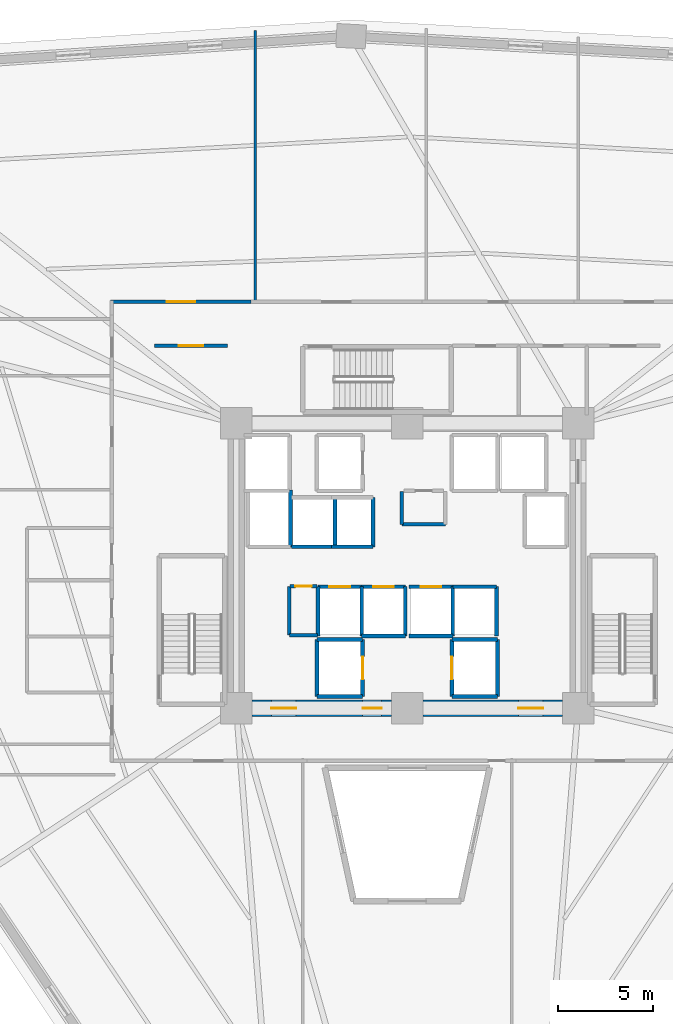
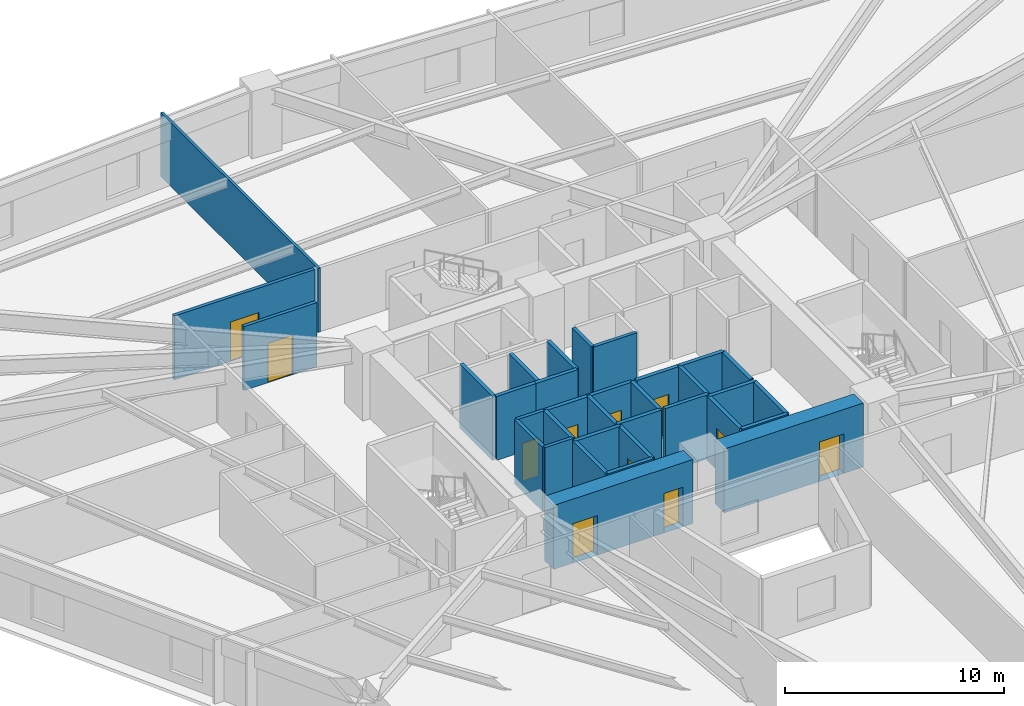
# One storey, part 5 of 9: 34 walls, 11 doors, 11 openings.
"""IFC4 building model written with IfcOpenShell, lengths in metres."""

import ifcopenshell
import ifcopenshell.guid

model = None  # the IFC model being written
_history = None  # IfcOwnerHistory: only IFC2X3 demands one
_inside = {}  # id of a spatial element -> (the spatial element, [elements in it])
_under = {}  # id of a project, library or spatial element -> (it, [spatial elements below it])
_declared = {}  # id of a project -> (the project, [libraries it declares])
_typed = {}  # id of a type object -> (the type object, [elements of that type])
_made_of = {}  # id of a material, layer set ... -> (it, [elements and type objects made of it])


def new_model(schema):
    """Start an empty IFC model of exactly this schema.

    Asked for "IFC4X3", IfcOpenShell would pick the latest addendum, in which some entities
    have other attributes; the version numbers below select the first issue.
    IFC2X3 requires an IfcOwnerHistory on every rooted entity: one is made here for all.
    """
    global model, _history
    if schema == "IFC4X3":
        model = ifcopenshell.file(schema_version=(4, 3, 0, 0))
    else:
        model = ifcopenshell.file(schema=schema)
    _inside.clear()
    _under.clear()
    _declared.clear()
    _typed.clear()
    _made_of.clear()
    _history = None
    if model.schema == "IFC2X3":
        org = make("IfcOrganization", Name="unknown")
        user = make(
            "IfcPersonAndOrganization",
            ThePerson=make("IfcPerson", FamilyName="unknown"),
            TheOrganization=org,
        )
        app = make(
            "IfcApplication",
            ApplicationDeveloper=org,
            Version="unknown",
            ApplicationFullName="unknown",
            ApplicationIdentifier="unknown",
        )
        _history = make(
            "IfcOwnerHistory",
            OwningUser=user,
            OwningApplication=app,
            ChangeAction="ADDED",
            CreationDate=0,
        )
    return model


def make(cls, **values):
    """One entity of the class cls with the attributes given. An attribute that is None is left unset."""
    return model.create_entity(
        cls, **{name: value for name, value in values.items() if value is not None}
    )


def rooted(cls, **values):
    """An entity with a GlobalId (a new one), such as an element, a storey or a relation."""
    return make(cls, GlobalId=ifcopenshell.guid.new(), OwnerHistory=_history, **values)


def si_unit(unit_type, name, prefix=None):
    """IfcSIUnit, for example si_unit("LENGTHUNIT", "METRE", prefix="MILLI")."""
    return make("IfcSIUnit", UnitType=unit_type, Prefix=prefix, Name=name)


def assignment(units):
    """IfcUnitAssignment: the units of a project."""
    return None if units is None else make("IfcUnitAssignment", Units=units)


def point(xyz):
    """IfcCartesianPoint."""
    return None if xyz is None else make("IfcCartesianPoint", Coordinates=xyz)


def direction(xyz):
    """IfcDirection."""
    return None if xyz is None else make("IfcDirection", DirectionRatios=xyz)


def frame(location, z_axis=None, x_axis=None):
    """IfcAxis2Placement3D, a coordinate frame: its origin and axes. An axis left out is left unset."""
    return make(
        "IfcAxis2Placement3D",
        Location=point(location),
        Axis=direction(z_axis),
        RefDirection=direction(x_axis),
    )


def frame_2d(location, x_axis=None):
    """IfcAxis2Placement2D, a coordinate frame in the plane: its origin and x axis."""
    return make(
        "IfcAxis2Placement2D", Location=point(location), RefDirection=direction(x_axis)
    )


def origin():
    """The frame at (0, 0, 0) with its axes left unset."""
    return frame((0.0, 0.0, 0.0))


def place(relative_to, where):
    """IfcLocalPlacement: puts the frame where relative to a parent placement (None: the world)."""
    return make(
        "IfcLocalPlacement", PlacementRelTo=relative_to, RelativePlacement=where
    )


def context(
    kind, dimensions, precision=None, world=None, true_north=None, identifier=None
):
    """IfcGeometricRepresentationContext, for example the 3D "Model" context."""
    return make(
        "IfcGeometricRepresentationContext",
        ContextIdentifier=identifier,
        ContextType=kind,
        CoordinateSpaceDimension=dimensions,
        Precision=precision,
        WorldCoordinateSystem=world,
        TrueNorth=true_north,
    )


def subcontext(parent, identifier, kind, view, scale=None):
    """IfcGeometricRepresentationSubContext, for example "Body" below "Model"."""
    return make(
        "IfcGeometricRepresentationSubContext",
        ContextIdentifier=identifier,
        ContextType=kind,
        ParentContext=parent,
        TargetScale=scale,
        TargetView=view,
    )


def project(units=None, contexts=None):
    """IfcProject with its units and contexts."""
    return rooted(
        "IfcProject",
        Name="project",
        RepresentationContexts=contexts,
        UnitsInContext=assignment(units),
    )


def spatial(cls, under=None, at=None, **own):
    """A site, building, storey or space (cls), placed at a placement, below another one or the project."""
    s = rooted(cls, ObjectPlacement=at, **own)
    if under is not None:
        _under.setdefault(under.id(), (under, []))[1].append(s)
    return s


def profile(cls, at=None, kind="AREA", **sizes):
    """A parametric profile (cls). Its sizes go by their IFC names, for example OverallWidth=200.0."""
    return make(cls, ProfileType=kind, Position=at, **sizes)


def rectangle(**sizes):
    """IfcRectangleProfileDef."""
    return profile("IfcRectangleProfileDef", **sizes)


def extrude(swept, where, along, depth):
    """IfcExtrudedAreaSolid: the profile swept, set in the frame where, extruded along a direction by depth."""
    return make(
        "IfcExtrudedAreaSolid",
        SweptArea=swept,
        Position=where,
        ExtrudedDirection=direction(along),
        Depth=depth,
    )


def shape(context_of_items, identifier, shape_type, items):
    """IfcShapeRepresentation: the items that make up one representation, for example the "Body"."""
    return make(
        "IfcShapeRepresentation",
        ContextOfItems=context_of_items,
        RepresentationIdentifier=identifier,
        RepresentationType=shape_type,
        Items=items,
    )


def source(mapping_origin, context_of_items, identifier, shape_type, items):
    """IfcRepresentationMap: a shape defined once, which mapped items show again and again."""
    return make(
        "IfcRepresentationMap",
        MappingOrigin=mapping_origin,
        MappedRepresentation=shape(context_of_items, identifier, shape_type, items),
    )


def transform(
    local_origin,
    x_axis=None,
    y_axis=None,
    z_axis=None,
    scale=None,
    scale2=None,
    scale3=None,
    uniform=True,
):
    """IfcCartesianTransformationOperator3D, or its non-uniform kind. x_axis, y_axis, z_axis: its Axis1, 2, 3."""
    if uniform:
        return make(
            "IfcCartesianTransformationOperator3D",
            Axis1=direction(x_axis),
            Axis2=direction(y_axis),
            LocalOrigin=point(local_origin),
            Scale=scale,
            Axis3=direction(z_axis),
        )
    return make(
        "IfcCartesianTransformationOperator3DnonUniform",
        Axis1=direction(x_axis),
        Axis2=direction(y_axis),
        LocalOrigin=point(local_origin),
        Scale=scale,
        Axis3=direction(z_axis),
        Scale2=scale2,
        Scale3=scale3,
    )


def mapped(mapping_source, mapping_target):
    """IfcMappedItem: shows the shape of a source again, moved by a transform."""
    return make(
        "IfcMappedItem", MappingSource=mapping_source, MappingTarget=mapping_target
    )


def material(Name=None, Category=None):
    """IfcMaterial."""
    return make("IfcMaterial", Name=Name, Category=Category)


def layer(
    of_material, thickness, ventilated=None, Name=None, Category=None, Priority=None
):
    """IfcMaterialLayer: one layer of a wall or slab, of a material (None: an air gap)."""
    return make(
        "IfcMaterialLayer",
        Material=of_material,
        LayerThickness=thickness,
        IsVentilated=ventilated,
        Name=Name,
        Category=Category,
        Priority=Priority,
    )


def layer_set(layers, Name=None):
    """IfcMaterialLayerSet."""
    return make("IfcMaterialLayerSet", MaterialLayers=layers, LayerSetName=Name)


def made_of(thing, what):
    """Note that an element or type object is made of a material, layer set ...; save() writes the relation."""
    if what is not None:
        _made_of.setdefault(what.id(), (what, []))[1].append(thing)
    return thing


def type_object(cls, material=None, **own):
    """A type object (cls), such as IfcWallType, which elements share."""
    return made_of(rooted(cls, **own), material)


def element(
    cls,
    number,
    at=None,
    inside=None,
    cuts=None,
    type_object=None,
    material=None,
    context=None,
    identifier="Body",
    shape_type=None,
    held_by="IfcProductDefinitionShape",
    body=None,
    shapes=None,
    **own,
):
    """One element of the class cls, such as IfcWall. Its Tag is "e" and its number.

    at: its placement. inside: the storey or other place that contains it. cuts: it is an
    opening in that element (IfcRelVoidsElement). A single representation is given by context,
    identifier, shape_type and body (its items); several are given by shapes. held_by: the class
    of the entity that holds the representations. save() writes the other relations.
    """
    e = rooted(cls, Tag="e%d" % number, ObjectPlacement=at, **own)
    if body is not None:
        shapes = [shape(context, identifier, shape_type, body)]
    if shapes is not None:
        e.Representation = make(held_by, Representations=shapes)
    if inside is not None:
        _inside.setdefault(inside.id(), (inside, []))[1].append(e)
    if cuts is not None:
        rooted(
            "IfcRelVoidsElement", RelatingBuildingElement=cuts, RelatedOpeningElement=e
        )
    if type_object is not None:
        _typed.setdefault(type_object.id(), (type_object, []))[1].append(e)
    return made_of(e, material)


def fill(opening, filler):
    """IfcRelFillsElement: the door or window that sits in an opening."""
    return rooted(
        "IfcRelFillsElement",
        RelatingOpeningElement=opening,
        RelatedBuildingElement=filler,
    )


def aggregate(whole, parts):
    """IfcRelAggregates: a whole, such as a stair, and the parts it consists of."""
    return rooted("IfcRelAggregates", RelatingObject=whole, RelatedObjects=parts)


def save(model, path):
    """Write the relations noted so far, then the file.

    IfcRelAggregates (storeys below a building ...), IfcRelContainedInSpatialStructure (elements
    in a storey), IfcRelDefinesByType, IfcRelAssociatesMaterial and IfcRelDeclares: one each for
    every whole, place, type object, material and project.
    """
    for whole, parts in _under.values():
        aggregate(whole, parts)
    for where, things in _inside.values():
        rooted(
            "IfcRelContainedInSpatialStructure",
            RelatedElements=things,
            RelatingStructure=where,
        )
    for kind, things in _typed.values():
        rooted("IfcRelDefinesByType", RelatedObjects=things, RelatingType=kind)
    for what, things in _made_of.values():
        rooted("IfcRelAssociatesMaterial", RelatedObjects=things, RelatingMaterial=what)
    for by, libraries in _declared.values():
        rooted("IfcRelDeclares", RelatingContext=by, RelatedDefinitions=libraries)
    model.write(path)


model = new_model("IFC4")

# Units and contexts
model_context = context("Model", 3, precision=1e-05, world=origin(), true_north=direction((0.0, 1.0)))
body_context = subcontext(model_context, "Body", "Model", "MODEL_VIEW")
ifc_project = project(units=[si_unit("LENGTHUNIT", "METRE"), si_unit("AREAUNIT", "SQUARE_METRE"), si_unit("VOLUMEUNIT", "CUBIC_METRE"), si_unit("PLANEANGLEUNIT", "RADIAN"), si_unit("MASSUNIT", "GRAM", prefix="KILO")], contexts=[model_context])

# Site, building, storey
site_placement = place(None, origin())
site = spatial("IfcSite", under=ifc_project, at=site_placement, CompositionType="ELEMENT")
building_placement = place(site_placement, origin())
building = spatial("IfcBuilding", under=site, at=building_placement, Name="Liaohun Quay Tower", CompositionType="ELEMENT")
storey_placement = place(building_placement, frame((0.0, 0.0, 55.5)))
storey = spatial("IfcBuildingStorey", under=building, at=storey_placement, Name="L14", CompositionType="ELEMENT", Elevation=55.5)

# Wall, opening, door
ifc_material_1 = material(Name="Concrete C60", Category="concrete")
ifc_layer_1 = layer(ifc_material_1, 0.85009765625, Name="Concrete C60", Category="concrete")
ifc_layer_set_1 = layer_set([ifc_layer_1], Name="Concrete C60")
wall_type_1 = type_object("IfcWallType", Name="WAL-COR-Z1", PredefinedType="SHEAR", material=ifc_layer_set_1)
wall_1_placement = place(storey_placement, frame((68.175048828125, 46.5, 0.0), z_axis=(0.0, 0.0, 1.0), x_axis=(-1.0, 0.0, 0.0)))
wall_1 = element("IfcWall", 1, at=wall_1_placement, inside=storey, type_object=wall_type_1, Name="L14 Central Core Shear Wall S-E", PredefinedType="SHEAR", context=body_context, shape_type="SweptSolid", body=[
    extrude(rectangle(XDim=7.35009765625, YDim=0.85009765625, at=frame_2d((3.675048828125, 0.0))), origin(), (0.0, 0.0, 1.0), 3.570068359375),
])
shared_shape_1 = source(origin(), body_context, "Body", "SweptSolid", [
    extrude(rectangle(XDim=1.300048828125, YDim=2.199951171875, at=frame_2d((0.64990234375, 1.10009765625))), frame((0.0, 0.43505859375, 0.0), z_axis=(0.0, -1.0, 0.0), x_axis=(1.0, 0.0, 0.0)), (0.0, 0.0, 1.0), 0.8701171875),
])
opening_1_placement = place(wall_1_placement, frame((1.02490234375, 0.0, 0.0)))
opening_1 = element("IfcOpeningElement", 2, at=opening_1_placement, cuts=wall_1, Name="Opening FD1", PredefinedType="OPENING", context=body_context, shape_type="MappedRepresentation", body=[
    mapped(shared_shape_1, transform((0.0, 0.0, 0.0), x_axis=(1.0, 0.0, 0.0), y_axis=(0.0, 1.0, 0.0), z_axis=(0.0, 0.0, 1.0), scale=1.0)),
])
ifc_material_2 = material(Name="Galvanised steel smokeproof fire door", Category="steel")
door_type_1 = type_object("IfcDoorType", Name="DOR-FFL-1300", OperationType="NOTDEFINED", PredefinedType="DOOR", material=ifc_material_2)
shared_shape_2 = source(origin(), body_context, "Body", "SweptSolid", [
    extrude(rectangle(XDim=1.300048828125, YDim=2.199951171875, at=frame_2d((0.64990234375, 1.10009765625))), frame((0.0, 0.02490234375, 0.0), z_axis=(0.0, -1.0, 0.0), x_axis=(1.0, 0.0, 0.0)), (0.0, 0.0, 1.0), 0.050048828125),
])
door_1_placement = place(opening_1_placement, origin())
door_1 = element("IfcDoor", 3, at=door_1_placement, inside=storey, type_object=door_type_1, Name="L14 East Core Lift Lobby Smokeproof Door", OperationType="SINGLE_SWING_LEFT", OverallHeight=2.199951171875, OverallWidth=1.300048828125, PredefinedType="DOOR", context=body_context, shape_type="MappedRepresentation", body=[
    mapped(shared_shape_2, transform((0.0, 0.0, 0.0), x_axis=(1.0, 0.0, 0.0), y_axis=(0.0, 1.0, 0.0), z_axis=(0.0, 0.0, 1.0), scale=1.0)),
])
fill(opening_1, door_1)

# Wall, openings, doors
wall_2_placement = place(storey_placement, frame((59.175048828125, 46.5, 0.0), z_axis=(0.0, 0.0, 1.0), x_axis=(-1.0, 0.0, 0.0)))
wall_2 = element("IfcWall", 4, at=wall_2_placement, inside=storey, type_object=wall_type_1, Name="L14 Central Core Shear Wall S-W", PredefinedType="SHEAR", context=body_context, shape_type="SweptSolid", body=[
    extrude(rectangle(XDim=7.35009765625, YDim=0.85009765625, at=frame_2d((3.675048828125, 0.0))), origin(), (0.0, 0.0, 1.0), 3.570068359375),
])
opening_2_placement = place(wall_2_placement, frame((5.02490234375, 0.0, 0.0)))
opening_2 = element("IfcOpeningElement", 5, at=opening_2_placement, cuts=wall_2, Name="Opening FD1", PredefinedType="OPENING", context=body_context, shape_type="MappedRepresentation", body=[
    mapped(shared_shape_1, transform((0.0, 0.0, 0.0), x_axis=(1.0, 0.0, 0.0), y_axis=(0.0, 1.0, 0.0), z_axis=(0.0, 0.0, 1.0), scale=1.0)),
])
shared_shape_3 = source(origin(), body_context, "Body", "SweptSolid", [
    extrude(rectangle(XDim=1.0, YDim=2.199951171875, at=frame_2d((0.5, 1.10009765625))), frame((0.0, 0.43505859375, 0.0), z_axis=(0.0, -1.0, 0.0), x_axis=(1.0, 0.0, 0.0)), (0.0, 0.0, 1.0), 0.8701171875),
])
opening_3_placement = place(wall_2_placement, frame((0.52490234375, 0.0, 0.0)))
opening_3 = element("IfcOpeningElement", 6, at=opening_3_placement, cuts=wall_2, Name="Opening FD2", PredefinedType="OPENING", context=body_context, shape_type="MappedRepresentation", body=[
    mapped(shared_shape_3, transform((0.0, 0.0, 0.0), x_axis=(1.0, 0.0, 0.0), y_axis=(0.0, 1.0, 0.0), z_axis=(0.0, 0.0, 1.0), scale=1.0)),
])
door_2_placement = place(opening_2_placement, origin())
door_2 = element("IfcDoor", 7, at=door_2_placement, inside=storey, type_object=door_type_1, Name="L14 West Core Lift Lobby Smokeproof Door", OperationType="SINGLE_SWING_RIGHT", OverallHeight=2.199951171875, OverallWidth=1.300048828125, PredefinedType="DOOR", context=body_context, shape_type="MappedRepresentation", body=[
    mapped(shared_shape_2, transform((0.0, 0.0, 0.0), x_axis=(1.0, 0.0, 0.0), y_axis=(0.0, 1.0, 0.0), z_axis=(0.0, 0.0, 1.0), scale=1.0)),
])
fill(opening_2, door_2)
ifc_material_3 = material(Name="Galvanised steel smokeproof lobby fire door", Category="steel")
door_type_2 = type_object("IfcDoorType", Name="DOR-FFL-1000", OperationType="NOTDEFINED", PredefinedType="DOOR", material=ifc_material_3)
shared_shape_4 = source(origin(), body_context, "Body", "SweptSolid", [
    extrude(rectangle(XDim=1.0, YDim=2.199951171875, at=frame_2d((0.5, 1.10009765625))), frame((0.0, 0.02490234375, 0.0), z_axis=(0.0, -1.0, 0.0), x_axis=(1.0, 0.0, 0.0)), (0.0, 0.0, 1.0), 0.050048828125),
])
door_3_placement = place(opening_3_placement, origin())
door_3 = element("IfcDoor", 8, at=door_3_placement, inside=storey, type_object=door_type_2, Name="L14 South Firefighting Lobby Smokeproof Door", OperationType="SINGLE_SWING_LEFT", OverallHeight=2.199951171875, OverallWidth=1.0, PredefinedType="DOOR", context=body_context, shape_type="MappedRepresentation", body=[
    mapped(shared_shape_4, transform((0.0, 0.0, 0.0), x_axis=(1.0, 0.0, 0.0), y_axis=(0.0, 1.0, 0.0), z_axis=(0.0, 0.0, 1.0), scale=1.0)),
])
fill(opening_3, door_3)

# Wall, opening, door
ifc_material_4 = material(Name="Autoclaved aerated concrete blockwork", Category="masonry")
ifc_layer_2 = layer(ifc_material_4, 0.179931640625, Name="Autoclaved aerated concrete blockwork", Category="masonry")
ifc_layer_set_2 = layer_set([ifc_layer_2], Name="Autoclaved aerated concrete blockwork")
wall_type_2 = type_object("IfcWallType", Name="WAL-PRT-COR", PredefinedType="PARTITIONING", material=ifc_layer_set_2)
wall_3_placement = place(storey_placement, frame((53.820068359375, 52.919921875, 0.0), z_axis=(0.0, 0.0, 1.0), x_axis=(1.0, 0.0, 0.0)))
wall_3 = element("IfcWall", 9, at=wall_3_placement, inside=storey, type_object=wall_type_2, Name="L14 Interior Partition Wall 002", PredefinedType="PARTITIONING", context=body_context, shape_type="SweptSolid", body=[
    extrude(rectangle(XDim=1.429931640625, YDim=0.179931640625, at=frame_2d((0.71484375, 0.0))), origin(), (0.0, 0.0, 1.0), 3.570068359375),
])
shared_shape_5 = source(origin(), body_context, "Body", "SweptSolid", [
    extrude(rectangle(XDim=0.85009765625, YDim=2.10009765625, at=frame_2d((0.425048828125, 1.050048828125))), frame((0.0, 0.099853515625, 0.0), z_axis=(0.0, -1.0, 0.0), x_axis=(1.0, 0.0, 0.0)), (0.0, 0.0, 1.0), 0.199951171875),
])
opening_4_placement = place(wall_3_placement, frame((0.2900390625, 0.0, 0.0)))
opening_4 = element("IfcOpeningElement", 10, at=opening_4_placement, cuts=wall_3, Name="Opening AD1", PredefinedType="OPENING", context=body_context, shape_type="MappedRepresentation", body=[
    mapped(shared_shape_5, transform((0.0, 0.0, 0.0), x_axis=(1.0, 0.0, 0.0), y_axis=(0.0, 1.0, 0.0), z_axis=(0.0, 0.0, 1.0), scale=1.0)),
])
ifc_material_5 = material(Name="Steel riser inspection fire door", Category="steel")
door_type_3 = type_object("IfcDoorType", Name="DOR-SHF-850", OperationType="NOTDEFINED", PredefinedType="DOOR", material=ifc_material_5)
shared_shape_6 = source(origin(), body_context, "Body", "SweptSolid", [
    extrude(rectangle(XDim=0.85009765625, YDim=2.10009765625, at=frame_2d((0.425048828125, 1.050048828125))), frame((0.0, 0.02490234375, 0.0), z_axis=(0.0, -1.0, 0.0), x_axis=(1.0, 0.0, 0.0)), (0.0, 0.0, 1.0), 0.050048828125),
])
door_4_placement = place(opening_4_placement, origin())
door_4 = element("IfcDoor", 11, at=door_4_placement, inside=storey, type_object=door_type_3, Name="L14 Mechanical Smoke Duct Room Door", OperationType="SINGLE_SWING_RIGHT", OverallHeight=2.10009765625, OverallWidth=0.85009765625, PredefinedType="DOOR", context=body_context, shape_type="MappedRepresentation", body=[
    mapped(shared_shape_6, transform((0.0, 0.0, 0.0), x_axis=(1.0, 0.0, 0.0), y_axis=(0.0, 1.0, 0.0), z_axis=(0.0, 0.0, 1.0), scale=1.0)),
])
fill(opening_4, door_4)

wall_4_placement = place(storey_placement, frame((46.699951171875, 65.580078125, 0.0), z_axis=(0.0, 0.0, 1.0), x_axis=(1.0, 0.0, 0.0)))
wall_4 = element("IfcWall", 12, at=wall_4_placement, inside=storey, type_object=wall_type_2, Name="L14 Interior Partition Wall 008", PredefinedType="PARTITIONING", context=body_context, shape_type="SweptSolid", body=[
    extrude(rectangle(XDim=3.840087890625, YDim=0.179931640625, at=frame_2d((1.919921875, 0.0))), origin(), (0.0, 0.0, 1.0), 3.570068359375),
])
shared_shape_7 = source(origin(), body_context, "Body", "SweptSolid", [
    extrude(rectangle(XDim=1.300048828125, YDim=2.199951171875, at=frame_2d((0.64990234375, 1.10009765625))), frame((0.0, 0.099853515625, 0.0), z_axis=(0.0, -1.0, 0.0), x_axis=(1.0, 0.0, 0.0)), (0.0, 0.0, 1.0), 0.199951171875),
])
opening_5_placement = place(wall_4_placement, frame((1.27001953125, 0.0, 0.0)))
opening_5 = element("IfcOpeningElement", 13, at=opening_5_placement, cuts=wall_4, Name="Opening FD1", PredefinedType="OPENING", context=body_context, shape_type="MappedRepresentation", body=[
    mapped(shared_shape_7, transform((0.0, 0.0, 0.0), x_axis=(1.0, 0.0, 0.0), y_axis=(0.0, 1.0, 0.0), z_axis=(0.0, 0.0, 1.0), scale=1.0)),
])
door_5_placement = place(opening_5_placement, origin())
door_5 = element("IfcDoor", 14, at=door_5_placement, inside=storey, type_object=door_type_1, Name="L14 West Core Vestibule Door", OperationType="SINGLE_SWING_RIGHT", OverallHeight=2.199951171875, OverallWidth=1.300048828125, PredefinedType="DOOR", context=body_context, shape_type="MappedRepresentation", body=[
    mapped(shared_shape_2, transform((0.0, 0.0, 0.0), x_axis=(1.0, 0.0, 0.0), y_axis=(0.0, 1.0, 0.0), z_axis=(0.0, 0.0, 1.0), scale=1.0)),
])
fill(opening_5, door_5)

wall_5_placement = place(storey_placement, frame((44.3701171875, 67.909912109375, 0.0), z_axis=(0.0, 0.0, 1.0), x_axis=(1.0, 0.0, 0.0)))
wall_5 = element("IfcWall", 15, at=wall_5_placement, inside=storey, type_object=wall_type_2, Name="L14 Interior Partition Wall 015", PredefinedType="PARTITIONING", context=body_context, shape_type="SweptSolid", body=[
    extrude(rectangle(XDim=7.414794921875, YDim=0.179931640625, at=frame_2d((3.70751953125, 0.0))), origin(), (0.0, 0.0, 1.0), 3.570068359375),
])
shared_shape_8 = source(origin(), body_context, "Body", "SweptSolid", [
    extrude(rectangle(XDim=1.5, YDim=2.199951171875, at=frame_2d((0.75, 1.10009765625))), frame((0.0, 0.099853515625, 0.0), z_axis=(0.0, -1.0, 0.0), x_axis=(1.0, 0.0, 0.0)), (0.0, 0.0, 1.0), 0.199951171875),
])
opening_6_placement = place(wall_5_placement, frame((2.95703125, 0.0, 0.0)))
opening_6 = element("IfcOpeningElement", 16, at=opening_6_placement, cuts=wall_5, Name="Opening OD2", PredefinedType="OPENING", context=body_context, shape_type="MappedRepresentation", body=[
    mapped(shared_shape_8, transform((0.0, 0.0, 0.0), x_axis=(1.0, 0.0, 0.0), y_axis=(0.0, 1.0, 0.0), z_axis=(0.0, 0.0, 1.0), scale=1.0)),
])
ifc_material_6 = material(Name="Acoustic oak veneer double door")
door_type_4 = type_object("IfcDoorType", Name="DOR-OFF-1500", OperationType="DOUBLE_DOOR_SINGLE_SWING", PredefinedType="DOOR", material=ifc_material_6)
shared_shape_9 = source(origin(), body_context, "Body", "SweptSolid", [
    extrude(rectangle(XDim=1.5, YDim=2.199951171875, at=frame_2d((0.75, 1.10009765625))), frame((0.0, 0.02490234375, 0.0), z_axis=(0.0, -1.0, 0.0), x_axis=(1.0, 0.0, 0.0)), (0.0, 0.0, 1.0), 0.050048828125),
])
door_6_placement = place(opening_6_placement, origin())
door_6 = element("IfcDoor", 17, at=door_6_placement, inside=storey, type_object=door_type_4, Name="L14 Staff Tea Kitchen and Pantry 06 Door", OperationType="DOUBLE_DOOR_SINGLE_SWING", OverallHeight=2.199951171875, OverallWidth=1.5, PredefinedType="DOOR", context=body_context, shape_type="MappedRepresentation", body=[
    mapped(shared_shape_9, transform((0.0, 0.0, 0.0), x_axis=(1.0, 0.0, 0.0), y_axis=(0.0, 1.0, 0.0), z_axis=(0.0, 0.0, 1.0), scale=1.0)),
])
fill(opening_6, door_6)

# Walls
wall_6_placement = place(storey_placement, frame((59.719970703125, 56.179931640625, 0.0), z_axis=(0.0, 0.0, 1.0), x_axis=(0.0, 1.0, 0.0)))
element("IfcWall", 18, at=wall_6_placement, inside=storey, type_object=wall_type_2, Name="L14 Interior Partition Wall 024", PredefinedType="PARTITIONING", context=body_context, shape_type="SweptSolid", body=[
    extrude(rectangle(XDim=1.739990234375, YDim=0.179931640625, at=frame_2d((0.8701171875, 0.0))), origin(), (0.0, 0.0, 1.0), 3.570068359375),
])
wall_7_placement = place(storey_placement, frame((59.719970703125, 56.179931640625, 0.0), z_axis=(0.0, 0.0, 1.0), x_axis=(1.0, 0.0, 0.0)))
element("IfcWall", 19, at=wall_7_placement, inside=storey, type_object=wall_type_2, Name="L14 Interior Partition Wall 026", PredefinedType="PARTITIONING", context=body_context, shape_type="SweptSolid", body=[
    extrude(rectangle(XDim=2.2900390625, YDim=0.179931640625, at=frame_2d((1.14501953125, 0.0))), origin(), (0.0, 0.0, 1.0), 3.570068359375),
])
wall_8_placement = place(storey_placement, frame((53.7900390625, 50.35009765625, 0.0), z_axis=(0.0, 0.0, 1.0), x_axis=(0.0, 1.0, 0.0)))
element("IfcWall", 20, at=wall_8_placement, inside=storey, type_object=wall_type_2, Name="L14 Interior Partition Wall 027", PredefinedType="PARTITIONING", context=body_context, shape_type="SweptSolid", body=[
    extrude(rectangle(XDim=2.56982421875, YDim=0.179931640625, at=frame_2d((1.284912109375, 0.0))), origin(), (0.0, 0.0, 1.0), 3.570068359375),
])
wall_9_placement = place(storey_placement, frame((53.7900390625, 50.35009765625, 0.0), z_axis=(0.0, 0.0, 1.0), x_axis=(1.0, 0.0, 0.0)))
element("IfcWall", 21, at=wall_9_placement, inside=storey, type_object=wall_type_2, Name="L14 Interior Partition Wall 028", PredefinedType="PARTITIONING", context=body_context, shape_type="SweptSolid", body=[
    extrude(rectangle(XDim=1.489990234375, YDim=0.179931640625, at=frame_2d((0.7451171875, 0.0))), origin(), (0.0, 0.0, 1.0), 3.570068359375),
])
ifc_material_7 = material(Name="Gypsum board on twin steel studs", Category="steel")
ifc_layer_3 = layer(ifc_material_7, 0.139892578125, Name="Gypsum board on twin steel studs", Category="steel")
ifc_layer_set_3 = layer_set([ifc_layer_3], Name="Gypsum board on twin steel studs")
wall_type_3 = type_object("IfcWallType", Name="WAL-PRT-OFF", PredefinedType="PARTITIONING", material=ifc_layer_set_3)
wall_10_placement = place(storey_placement, frame((52.0, 67.81005859375, 0.0), z_axis=(0.0, 0.0, 1.0), x_axis=(0.0, 1.0, 0.0)))
element("IfcWall", 22, at=wall_10_placement, inside=storey, type_object=wall_type_3, Name="L14 Interior Partition Wall 051", PredefinedType="PARTITIONING", context=body_context, shape_type="SweptSolid", body=[
    extrude(rectangle(XDim=14.373046875, YDim=0.139892578125, at=frame_2d((7.1865234375, 0.0))), origin(), (0.0, 0.0, 1.0), 3.570068359375),
])
ifc_material_8 = material(Name="Concrete C50", Category="concrete")
ifc_layer_4 = layer(ifc_material_8, 0.239990234375, Name="Concrete C50", Category="concrete")
ifc_layer_set_4 = layer_set([ifc_layer_4], Name="Concrete C50")
wall_type_4 = type_object("IfcWallType", Name="WAL-SHF-200", PredefinedType="SOLIDWALL", material=ifc_layer_set_4)
wall_11_placement = place(storey_placement, frame((55.25, 47.1201171875, 0.0), z_axis=(0.0, 0.0, 1.0), x_axis=(1.0, 0.0, 0.0)))
element("IfcWall", 23, at=wall_11_placement, inside=storey, type_object=wall_type_4, Name="L14 Lift FF-01 Hoistway Wall S", PredefinedType="SOLIDWALL", context=body_context, shape_type="SweptSolid", body=[
    extrude(rectangle(XDim=2.39990234375, YDim=0.199951171875, at=frame_2d((1.199951171875, 0.0))), origin(), (0.0, 0.0, 1.0), 3.570068359375),
])

# Wall, opening, door
wall_12_placement = place(storey_placement, frame((57.64990234375, 47.1201171875, 0.0), z_axis=(0.0, 0.0, 1.0), x_axis=(0.0, 1.0, 0.0)))
wall_12 = element("IfcWall", 24, at=wall_12_placement, inside=storey, type_object=wall_type_4, Name="L14 Lift FF-01 Hoistway Wall E", PredefinedType="SOLIDWALL", context=body_context, shape_type="SweptSolid", body=[
    extrude(rectangle(XDim=3.0, YDim=0.199951171875, at=frame_2d((1.5, 0.0))), origin(), (0.0, 0.0, 1.0), 3.570068359375),
])
shared_shape_10 = source(origin(), body_context, "Body", "SweptSolid", [
    extrude(rectangle(XDim=1.199951171875, YDim=2.300048828125, at=frame_2d((0.60009765625, 1.14990234375))), frame((0.0, 0.10986328125, 0.0), z_axis=(0.0, -1.0, 0.0), x_axis=(1.0, 0.0, 0.0)), (0.0, 0.0, 1.0), 0.219970703125),
])
opening_7_placement = place(wall_12_placement, frame((0.89990234375, 0.0, 0.0)))
opening_7 = element("IfcOpeningElement", 25, at=opening_7_placement, cuts=wall_12, Name="Opening LD2", PredefinedType="OPENING", context=body_context, shape_type="MappedRepresentation", body=[
    mapped(shared_shape_10, transform((0.0, 0.0, 0.0), x_axis=(1.0, 0.0, 0.0), y_axis=(0.0, 1.0, 0.0), z_axis=(0.0, 0.0, 1.0), scale=1.0)),
])
ifc_material_9 = material(Name="Brushed stainless steel stretcher landing door", Category="steel")
door_type_5 = type_object("IfcDoorType", Name="DOR-LFT-1200", OperationType="SLIDING_TO_LEFT", PredefinedType="DOOR", material=ifc_material_9)
shared_shape_11 = source(origin(), body_context, "Body", "SweptSolid", [
    extrude(rectangle(XDim=1.199951171875, YDim=2.300048828125, at=frame_2d((0.60009765625, 1.14990234375))), frame((0.0, 0.02490234375, 0.0), z_axis=(0.0, -1.0, 0.0), x_axis=(1.0, 0.0, 0.0)), (0.0, 0.0, 1.0), 0.050048828125),
])
door_7_placement = place(opening_7_placement, origin())
door_7 = element("IfcDoor", 26, at=door_7_placement, inside=storey, type_object=door_type_5, Name="L14 Lift FF-01 Sliding Landing Door", OperationType="SLIDING_TO_LEFT", OverallHeight=2.300048828125, OverallWidth=1.199951171875, PredefinedType="DOOR", context=body_context, shape_type="MappedRepresentation", body=[
    mapped(shared_shape_11, transform((0.0, 0.0, 0.0), x_axis=(1.0, 0.0, 0.0), y_axis=(0.0, 1.0, 0.0), z_axis=(0.0, 0.0, 1.0), scale=1.0)),
])
fill(opening_7, door_7)

# Walls
wall_13_placement = place(storey_placement, frame((57.64990234375, 50.1201171875, 0.0), z_axis=(0.0, 0.0, 1.0), x_axis=(-1.0, 0.0, 0.0)))
element("IfcWall", 27, at=wall_13_placement, inside=storey, type_object=wall_type_4, Name="L14 Lift FF-01 Hoistway Wall N", PredefinedType="SOLIDWALL", context=body_context, shape_type="SweptSolid", body=[
    extrude(rectangle(XDim=2.39990234375, YDim=0.199951171875, at=frame_2d((1.199951171875, 0.0))), origin(), (0.0, 0.0, 1.0), 3.570068359375),
])
wall_14_placement = place(storey_placement, frame((55.25, 50.1201171875, 0.0), z_axis=(0.0, 0.0, 1.0), x_axis=(0.0, -1.0, 0.0)))
element("IfcWall", 28, at=wall_14_placement, inside=storey, type_object=wall_type_4, Name="L14 Lift FF-01 Hoistway Wall W", PredefinedType="SOLIDWALL", context=body_context, shape_type="SweptSolid", body=[
    extrude(rectangle(XDim=3.0, YDim=0.199951171875, at=frame_2d((1.5, 0.0))), origin(), (0.0, 0.0, 1.0), 3.570068359375),
])
wall_15_placement = place(storey_placement, frame((62.35009765625, 47.1201171875, 0.0), z_axis=(0.0, 0.0, 1.0), x_axis=(1.0, 0.0, 0.0)))
element("IfcWall", 29, at=wall_15_placement, inside=storey, type_object=wall_type_4, Name="L14 Lift FF-02 Hoistway Wall S", PredefinedType="SOLIDWALL", context=body_context, shape_type="SweptSolid", body=[
    extrude(rectangle(XDim=2.39990234375, YDim=0.199951171875, at=frame_2d((1.199951171875, 0.0))), origin(), (0.0, 0.0, 1.0), 3.570068359375),
])
wall_16_placement = place(storey_placement, frame((64.75, 47.1201171875, 0.0), z_axis=(0.0, 0.0, 1.0), x_axis=(0.0, 1.0, 0.0)))
element("IfcWall", 30, at=wall_16_placement, inside=storey, type_object=wall_type_4, Name="L14 Lift FF-02 Hoistway Wall E", PredefinedType="SOLIDWALL", context=body_context, shape_type="SweptSolid", body=[
    extrude(rectangle(XDim=3.0, YDim=0.199951171875, at=frame_2d((1.5, 0.0))), origin(), (0.0, 0.0, 1.0), 3.570068359375),
])
wall_17_placement = place(storey_placement, frame((64.75, 50.1201171875, 0.0), z_axis=(0.0, 0.0, 1.0), x_axis=(-1.0, 0.0, 0.0)))
element("IfcWall", 31, at=wall_17_placement, inside=storey, type_object=wall_type_4, Name="L14 Lift FF-02 Hoistway Wall N", PredefinedType="SOLIDWALL", context=body_context, shape_type="SweptSolid", body=[
    extrude(rectangle(XDim=2.39990234375, YDim=0.199951171875, at=frame_2d((1.199951171875, 0.0))), origin(), (0.0, 0.0, 1.0), 3.570068359375),
])

# Wall, opening, door
wall_18_placement = place(storey_placement, frame((62.35009765625, 50.1201171875, 0.0), z_axis=(0.0, 0.0, 1.0), x_axis=(0.0, -1.0, 0.0)))
wall_18 = element("IfcWall", 32, at=wall_18_placement, inside=storey, type_object=wall_type_4, Name="L14 Lift FF-02 Hoistway Wall W", PredefinedType="SOLIDWALL", context=body_context, shape_type="SweptSolid", body=[
    extrude(rectangle(XDim=3.0, YDim=0.199951171875, at=frame_2d((1.5, 0.0))), origin(), (0.0, 0.0, 1.0), 3.570068359375),
])
opening_8_placement = place(wall_18_placement, frame((0.89990234375, 0.0, 0.0)))
opening_8 = element("IfcOpeningElement", 33, at=opening_8_placement, cuts=wall_18, Name="Opening LD2", PredefinedType="OPENING", context=body_context, shape_type="MappedRepresentation", body=[
    mapped(shared_shape_10, transform((0.0, 0.0, 0.0), x_axis=(1.0, 0.0, 0.0), y_axis=(0.0, 1.0, 0.0), z_axis=(0.0, 0.0, 1.0), scale=1.0)),
])
door_8_placement = place(opening_8_placement, origin())
door_8 = element("IfcDoor", 34, at=door_8_placement, inside=storey, type_object=door_type_5, Name="L14 Lift FF-02 Sliding Landing Door", OperationType="SLIDING_TO_LEFT", OverallHeight=2.300048828125, OverallWidth=1.199951171875, PredefinedType="DOOR", context=body_context, shape_type="MappedRepresentation", body=[
    mapped(shared_shape_11, transform((0.0, 0.0, 0.0), x_axis=(1.0, 0.0, 0.0), y_axis=(0.0, 1.0, 0.0), z_axis=(0.0, 0.0, 1.0), scale=1.0)),
])
fill(opening_8, door_8)

# Walls
wall_19_placement = place(storey_placement, frame((53.85009765625, 55.0, 0.0), z_axis=(0.0, 0.0, 1.0), x_axis=(0.0, 1.0, 0.0)))
element("IfcWall", 35, at=wall_19_placement, inside=storey, type_object=wall_type_4, Name="L14 Lift SH-02 Hoistway Wall E", PredefinedType="SOLIDWALL", context=body_context, shape_type="SweptSolid", body=[
    extrude(rectangle(XDim=3.0, YDim=0.199951171875, at=frame_2d((1.5, 0.0))), origin(), (0.0, 0.0, 1.0), 3.570068359375),
])
wall_20_placement = place(storey_placement, frame((57.60009765625, 50.300048828125, 0.0), z_axis=(0.0, 0.0, 1.0), x_axis=(0.0, 1.0, 0.0)))
element("IfcWall", 36, at=wall_20_placement, inside=storey, type_object=wall_type_4, Name="L14 Lift PL-1A Hoistway Wall E", PredefinedType="SOLIDWALL", context=body_context, shape_type="SweptSolid", body=[
    extrude(rectangle(XDim=2.599853515625, YDim=0.199951171875, at=frame_2d((1.2998046875, 0.0))), origin(), (0.0, 0.0, 1.0), 3.570068359375),
])

# Wall, opening, door
wall_21_placement = place(storey_placement, frame((57.60009765625, 52.89990234375, 0.0), z_axis=(0.0, 0.0, 1.0), x_axis=(-1.0, 0.0, 0.0)))
wall_21 = element("IfcWall", 37, at=wall_21_placement, inside=storey, type_object=wall_type_4, Name="L14 Lift PL-1A Hoistway Wall N", PredefinedType="SOLIDWALL", context=body_context, shape_type="SweptSolid", body=[
    extrude(rectangle(XDim=2.300048828125, YDim=0.199951171875, at=frame_2d((1.14990234375, 0.0))), origin(), (0.0, 0.0, 1.0), 3.570068359375),
])
shared_shape_12 = source(origin(), body_context, "Body", "SweptSolid", [
    extrude(rectangle(XDim=1.10009765625, YDim=2.199951171875, at=frame_2d((0.550048828125, 1.10009765625))), frame((0.0, 0.10986328125, 0.0), z_axis=(0.0, -1.0, 0.0), x_axis=(1.0, 0.0, 0.0)), (0.0, 0.0, 1.0), 0.219970703125),
])
opening_9_placement = place(wall_21_placement, frame((0.60009765625, 0.0, 0.0)))
opening_9 = element("IfcOpeningElement", 38, at=opening_9_placement, cuts=wall_21, Name="Opening LD1", PredefinedType="OPENING", context=body_context, shape_type="MappedRepresentation", body=[
    mapped(shared_shape_12, transform((0.0, 0.0, 0.0), x_axis=(1.0, 0.0, 0.0), y_axis=(0.0, 1.0, 0.0), z_axis=(0.0, 0.0, 1.0), scale=1.0)),
])
ifc_material_10 = material(Name="Brushed stainless steel landing door", Category="steel")
door_type_6 = type_object("IfcDoorType", Name="DOR-LFT-1100", OperationType="SLIDING_TO_LEFT", PredefinedType="DOOR", material=ifc_material_10)
shared_shape_13 = source(origin(), body_context, "Body", "SweptSolid", [
    extrude(rectangle(XDim=1.10009765625, YDim=2.199951171875, at=frame_2d((0.550048828125, 1.10009765625))), frame((0.0, 0.02490234375, 0.0), z_axis=(0.0, -1.0, 0.0), x_axis=(1.0, 0.0, 0.0)), (0.0, 0.0, 1.0), 0.050048828125),
])
door_9_placement = place(opening_9_placement, origin())
door_9 = element("IfcDoor", 39, at=door_9_placement, inside=storey, type_object=door_type_6, Name="L14 Lift PL-1A Sliding Landing Door", OperationType="SLIDING_TO_LEFT", OverallHeight=2.199951171875, OverallWidth=1.10009765625, PredefinedType="DOOR", context=body_context, shape_type="MappedRepresentation", body=[
    mapped(shared_shape_13, transform((0.0, 0.0, 0.0), x_axis=(1.0, 0.0, 0.0), y_axis=(0.0, 1.0, 0.0), z_axis=(0.0, 0.0, 1.0), scale=1.0)),
])
fill(opening_9, door_9)

# Walls
wall_22_placement = place(storey_placement, frame((55.300048828125, 52.89990234375, 0.0), z_axis=(0.0, 0.0, 1.0), x_axis=(0.0, -1.0, 0.0)))
element("IfcWall", 40, at=wall_22_placement, inside=storey, type_object=wall_type_4, Name="L14 Lift PL-1A Hoistway Wall W", PredefinedType="SOLIDWALL", context=body_context, shape_type="SweptSolid", body=[
    extrude(rectangle(XDim=2.599853515625, YDim=0.199951171875, at=frame_2d((1.2998046875, 0.0))), origin(), (0.0, 0.0, 1.0), 3.570068359375),
])
wall_23_placement = place(storey_placement, frame((57.60009765625, 50.300048828125, 0.0), z_axis=(0.0, 0.0, 1.0), x_axis=(1.0, 0.0, 0.0)))
element("IfcWall", 41, at=wall_23_placement, inside=storey, type_object=wall_type_4, Name="L14 Lift PL-1B Hoistway Wall S", PredefinedType="SOLIDWALL", context=body_context, shape_type="SweptSolid", body=[
    extrude(rectangle(XDim=2.2998046875, YDim=0.199951171875, at=frame_2d((1.14990234375, 0.0))), origin(), (0.0, 0.0, 1.0), 3.570068359375),
])
wall_24_placement = place(storey_placement, frame((59.89990234375, 50.300048828125, 0.0), z_axis=(0.0, 0.0, 1.0), x_axis=(0.0, 1.0, 0.0)))
element("IfcWall", 42, at=wall_24_placement, inside=storey, type_object=wall_type_4, Name="L14 Lift PL-1B Hoistway Wall E", PredefinedType="SOLIDWALL", context=body_context, shape_type="SweptSolid", body=[
    extrude(rectangle(XDim=2.599853515625, YDim=0.199951171875, at=frame_2d((1.2998046875, 0.0))), origin(), (0.0, 0.0, 1.0), 3.570068359375),
])

# Wall, opening, door
wall_25_placement = place(storey_placement, frame((59.89990234375, 52.89990234375, 0.0), z_axis=(0.0, 0.0, 1.0), x_axis=(-1.0, 0.0, 0.0)))
wall_25 = element("IfcWall", 43, at=wall_25_placement, inside=storey, type_object=wall_type_4, Name="L14 Lift PL-1B Hoistway Wall N", PredefinedType="SOLIDWALL", context=body_context, shape_type="SweptSolid", body=[
    extrude(rectangle(XDim=2.2998046875, YDim=0.199951171875, at=frame_2d((1.14990234375, 0.0))), origin(), (0.0, 0.0, 1.0), 3.570068359375),
])
opening_10_placement = place(wall_25_placement, frame((0.60009765625, 0.0, 0.0)))
opening_10 = element("IfcOpeningElement", 44, at=opening_10_placement, cuts=wall_25, Name="Opening LD1", PredefinedType="OPENING", context=body_context, shape_type="MappedRepresentation", body=[
    mapped(shared_shape_12, transform((0.0, 0.0, 0.0), x_axis=(1.0, 0.0, 0.0), y_axis=(0.0, 1.0, 0.0), z_axis=(0.0, 0.0, 1.0), scale=1.0)),
])
door_10_placement = place(opening_10_placement, origin())
door_10 = element("IfcDoor", 45, at=door_10_placement, inside=storey, type_object=door_type_6, Name="L14 Lift PL-1B Sliding Landing Door", OperationType="SLIDING_TO_LEFT", OverallHeight=2.199951171875, OverallWidth=1.10009765625, PredefinedType="DOOR", context=body_context, shape_type="MappedRepresentation", body=[
    mapped(shared_shape_13, transform((0.0, 0.0, 0.0), x_axis=(1.0, 0.0, 0.0), y_axis=(0.0, 1.0, 0.0), z_axis=(0.0, 0.0, 1.0), scale=1.0)),
])
fill(opening_10, door_10)

# Walls
wall_26_placement = place(storey_placement, frame((60.10009765625, 50.300048828125, 0.0), z_axis=(0.0, 0.0, 1.0), x_axis=(1.0, 0.0, 0.0)))
element("IfcWall", 46, at=wall_26_placement, inside=storey, type_object=wall_type_4, Name="L14 Lift PL-1C Hoistway Wall S", PredefinedType="SOLIDWALL", context=body_context, shape_type="SweptSolid", body=[
    extrude(rectangle(XDim=2.2998046875, YDim=0.199951171875, at=frame_2d((1.14990234375, 0.0))), origin(), (0.0, 0.0, 1.0), 3.570068359375),
])
wall_27_placement = place(storey_placement, frame((62.39990234375, 50.300048828125, 0.0), z_axis=(0.0, 0.0, 1.0), x_axis=(0.0, 1.0, 0.0)))
element("IfcWall", 47, at=wall_27_placement, inside=storey, type_object=wall_type_4, Name="L14 Lift PL-1C Hoistway Wall E", PredefinedType="SOLIDWALL", context=body_context, shape_type="SweptSolid", body=[
    extrude(rectangle(XDim=2.599853515625, YDim=0.199951171875, at=frame_2d((1.2998046875, 0.0))), origin(), (0.0, 0.0, 1.0), 3.570068359375),
])

# Wall, opening, door
wall_28_placement = place(storey_placement, frame((62.39990234375, 52.89990234375, 0.0), z_axis=(0.0, 0.0, 1.0), x_axis=(-1.0, 0.0, 0.0)))
wall_28 = element("IfcWall", 48, at=wall_28_placement, inside=storey, type_object=wall_type_4, Name="L14 Lift PL-1C Hoistway Wall N", PredefinedType="SOLIDWALL", context=body_context, shape_type="SweptSolid", body=[
    extrude(rectangle(XDim=2.2998046875, YDim=0.199951171875, at=frame_2d((1.14990234375, 0.0))), origin(), (0.0, 0.0, 1.0), 3.570068359375),
])
opening_11_placement = place(wall_28_placement, frame((0.60009765625, 0.0, 0.0)))
opening_11 = element("IfcOpeningElement", 49, at=opening_11_placement, cuts=wall_28, Name="Opening LD1", PredefinedType="OPENING", context=body_context, shape_type="MappedRepresentation", body=[
    mapped(shared_shape_12, transform((0.0, 0.0, 0.0), x_axis=(1.0, 0.0, 0.0), y_axis=(0.0, 1.0, 0.0), z_axis=(0.0, 0.0, 1.0), scale=1.0)),
])
door_11_placement = place(opening_11_placement, origin())
door_11 = element("IfcDoor", 50, at=door_11_placement, inside=storey, type_object=door_type_6, Name="L14 Lift PL-1C Sliding Landing Door", OperationType="SLIDING_TO_LEFT", OverallHeight=2.199951171875, OverallWidth=1.10009765625, PredefinedType="DOOR", context=body_context, shape_type="MappedRepresentation", body=[
    mapped(shared_shape_13, transform((0.0, 0.0, 0.0), x_axis=(1.0, 0.0, 0.0), y_axis=(0.0, 1.0, 0.0), z_axis=(0.0, 0.0, 1.0), scale=1.0)),
])
fill(opening_11, door_11)

# Walls
wall_29_placement = place(storey_placement, frame((64.699951171875, 50.300048828125, 0.0), z_axis=(0.0, 0.0, 1.0), x_axis=(0.0, 1.0, 0.0)))
element("IfcWall", 51, at=wall_29_placement, inside=storey, type_object=wall_type_4, Name="L14 Lift PL-2A Hoistway Wall E", PredefinedType="SOLIDWALL", context=body_context, shape_type="SweptSolid", body=[
    extrude(rectangle(XDim=2.599853515625, YDim=0.199951171875, at=frame_2d((1.2998046875, 0.0))), origin(), (0.0, 0.0, 1.0), 3.570068359375),
])
for number, where, z_axis, x_axis, name in (
    (52, (64.699951171875, 52.89990234375, 0.0), (0.0, 0.0, 1.0), (-1.0, 0.0, 0.0), "L14 Lift PL-2A Hoistway Wall N"),
    (53, (53.89990234375, 55.0, 0.0), (0.0, 0.0, 1.0), (1.0, 0.0, 0.0), "L14 Lift PL-2B Hoistway Wall S"),
):
    element("IfcWall", number, at=place(storey_placement, frame(where, z_axis=z_axis, x_axis=x_axis)), inside=storey, type_object=wall_type_4, Name=name, PredefinedType="SOLIDWALL", context=body_context, shape_type="SweptSolid", body=[
        extrude(rectangle(XDim=2.300048828125, YDim=0.199951171875, at=frame_2d((1.14990234375, 0.0))), origin(), (0.0, 0.0, 1.0), 3.570068359375),
    ])
wall_30_placement = place(storey_placement, frame((56.199951171875, 55.0, 0.0), z_axis=(0.0, 0.0, 1.0), x_axis=(0.0, 1.0, 0.0)))
element("IfcWall", 54, at=wall_30_placement, inside=storey, type_object=wall_type_4, Name="L14 Lift PL-2B Hoistway Wall E", PredefinedType="SOLIDWALL", context=body_context, shape_type="SweptSolid", body=[
    extrude(rectangle(XDim=2.60009765625, YDim=0.199951171875, at=frame_2d((1.300048828125, 0.0))), origin(), (0.0, 0.0, 1.0), 3.570068359375),
])
wall_31_placement = place(storey_placement, frame((56.0, 55.0, 0.0), z_axis=(0.0, 0.0, 1.0), x_axis=(1.0, 0.0, 0.0)))
element("IfcWall", 55, at=wall_31_placement, inside=storey, type_object=wall_type_4, Name="L14 Lift PL-2C Hoistway Wall S", PredefinedType="SOLIDWALL", context=body_context, shape_type="SweptSolid", body=[
    extrude(rectangle(XDim=2.199951171875, YDim=0.199951171875, at=frame_2d((1.10009765625, 0.0))), origin(), (0.0, 0.0, 1.0), 3.570068359375),
])
wall_32_placement = place(storey_placement, frame((58.199951171875, 55.0, 0.0), z_axis=(0.0, 0.0, 1.0), x_axis=(0.0, 1.0, 0.0)))
element("IfcWall", 56, at=wall_32_placement, inside=storey, type_object=wall_type_4, Name="L14 Lift PL-2C Hoistway Wall E", PredefinedType="SOLIDWALL", context=body_context, shape_type="SweptSolid", body=[
    extrude(rectangle(XDim=2.60009765625, YDim=0.199951171875, at=frame_2d((1.300048828125, 0.0))), origin(), (0.0, 0.0, 1.0), 3.570068359375),
])

save(model, "model.ifc")
